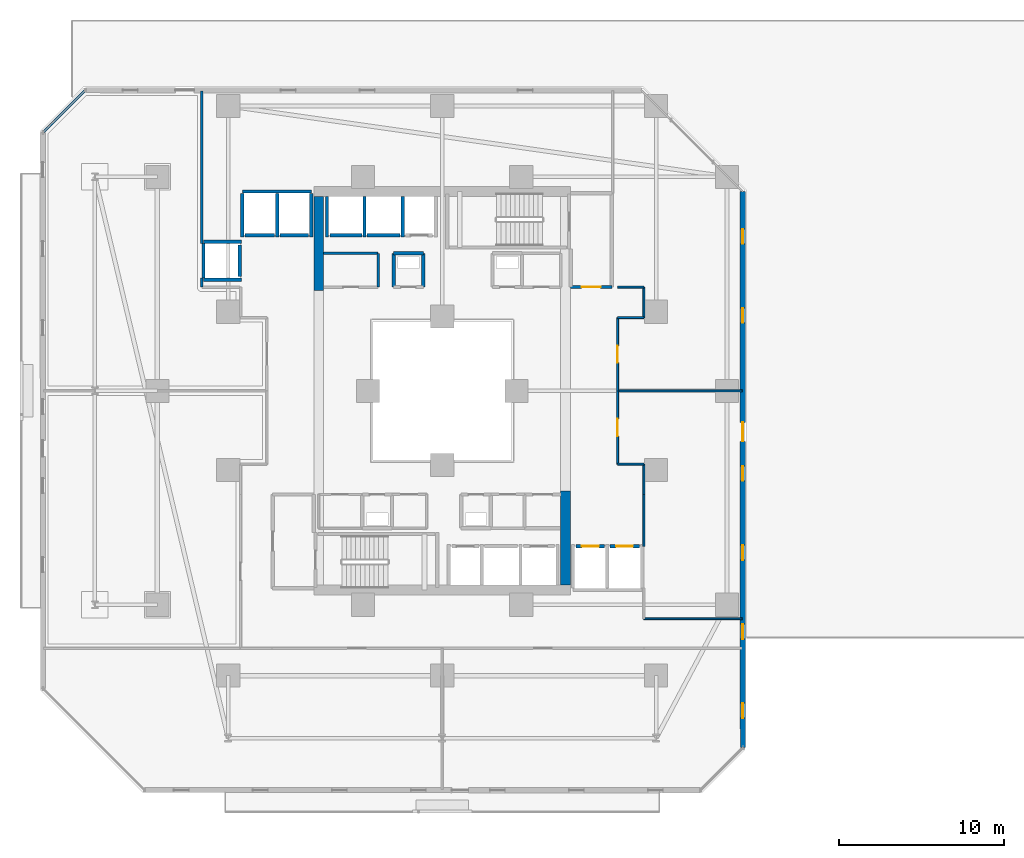
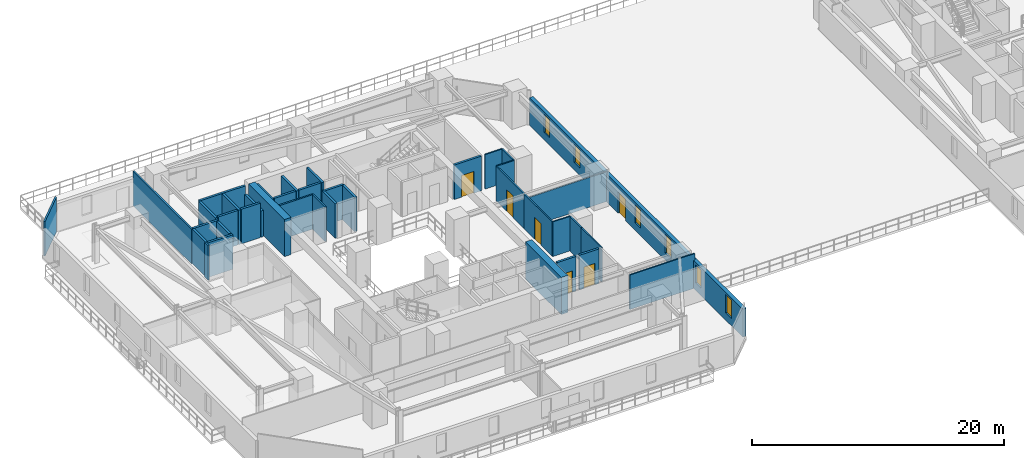
# One storey, part 20 of 34: 39 walls, 6 doors, 6 windows, 12 openings.
"""IFC4 building model written with IfcOpenShell, lengths in metres."""

from ifc_helpers import new_model, si_unit, direction, frame, frame_2d, origin, place, context, subcontext, project, spatial, rectangle, extrude, material, layer, layer_set, type_object, element, fill, save


model = new_model("IFC4")

# Units and contexts
model_context = context("Model", 3, precision=1e-05, world=origin(), true_north=direction((0.0, 1.0)))
body_context = subcontext(model_context, "Body", "Model", "MODEL_VIEW")
ifc_project = project(units=[si_unit("LENGTHUNIT", "METRE"), si_unit("AREAUNIT", "SQUARE_METRE"), si_unit("VOLUMEUNIT", "CUBIC_METRE"), si_unit("PLANEANGLEUNIT", "RADIAN"), si_unit("MASSUNIT", "GRAM", prefix="KILO")], contexts=[model_context])

# Site, building, storey
site_placement = place(None, origin())
site = spatial("IfcSite", under=ifc_project, at=site_placement, CompositionType="ELEMENT")
building_placement = place(site_placement, origin())
building = spatial("IfcBuilding", under=site, at=building_placement, Name="Thornwick Lancets Civic Towers", CompositionType="ELEMENT")
storey_placement = place(building_placement, frame((0.0, 0.0, 27.89990234375)))
storey = spatial("IfcBuildingStorey", under=building, at=storey_placement, Name="L06", CompositionType="ELEMENT", Elevation=27.89990234375)

# Wall, opening, door
ifc_material_1 = material(Name="Concrete blockwork C40/50", Category="masonry")
ifc_layer_1 = layer(ifc_material_1, 0.199951171875, Name="Concrete blockwork C40/50")
ifc_layer_set_1 = layer_set([ifc_layer_1], Name="Concrete blockwork C40/50")
wall_type_1 = type_object("IfcWallType", Name="WALL_COMP_200", PredefinedType="STANDARD", material=ifc_layer_set_1)
wall_1_placement = place(storey_placement, frame((33.6298828125, 17.550048828125, 0.0), z_axis=(0.0, 0.0, 1.0), x_axis=(1.0, 0.0, 0.0)))
wall_1 = element("IfcWall", 1, at=wall_1_placement, inside=storey, type_object=wall_type_1, Name="L06 Hoistway Front Wall PL-AL2", PredefinedType="STANDARD", context=body_context, shape_type="SweptSolid", body=[
    extrude(rectangle(XDim=1.740234375, YDim=0.199951171875, at=frame_2d((0.8701171875, 0.0))), origin(), (0.0, 0.0, 1.0), 3.340087890625),
])
opening_1_placement = place(wall_1_placement, frame((0.360107421875, 0.0, 0.0)))
opening_1 = element("IfcOpeningElement", 2, at=opening_1_placement, cuts=wall_1, Name="Opening LD-PL-AL2", PredefinedType="OPENING", context=body_context, shape_type="SweptSolid", body=[
    extrude(rectangle(XDim=1.02001953125, YDim=2.06005859375, at=frame_2d((0.510009765625, 1.030029296875))), frame((0.0, 0.10986328125, 0.0), z_axis=(0.0, -1.0, 0.0), x_axis=(1.0, 0.0, 0.0)), (0.0, 0.0, 1.0), 0.219970703125),
])
ifc_material_2 = material(Name="Brushed bronze stainless steel", Category="steel")
door_type_1 = type_object("IfcDoorType", Name="DOOR_LIFT_SLIDE", OperationType="SLIDING_TO_LEFT", PredefinedType="DOOR", material=ifc_material_2)
door_1_placement = place(opening_1_placement, origin())
door_1 = element("IfcDoor", 3, at=door_1_placement, inside=storey, type_object=door_type_1, Name="L06 Sliding Lift Landing Door LD-PL-AL2", OperationType="SLIDING_TO_LEFT", OverallHeight=2.06005859375, OverallWidth=1.02001953125, PredefinedType="DOOR", context=body_context, shape_type="SweptSolid", body=[
    extrude(rectangle(XDim=1.02001953125, YDim=2.06005859375, at=frame_2d((0.510009765625, 1.030029296875))), frame((0.0, 0.02490234375, 0.0), z_axis=(0.0, -1.0, 0.0), x_axis=(1.0, 0.0, 0.0)), (0.0, 0.0, 1.0), 0.050048828125),
])
fill(opening_1, door_1)

wall_2_placement = place(storey_placement, frame((35.679931640625, 17.550048828125, 0.0), z_axis=(0.0, 0.0, 1.0), x_axis=(1.0, 0.0, 0.0)))
wall_2 = element("IfcWall", 4, at=wall_2_placement, inside=storey, type_object=wall_type_1, Name="L06 Hoistway Front Wall PL-AL3", PredefinedType="STANDARD", context=body_context, shape_type="SweptSolid", body=[
    extrude(rectangle(XDim=1.7900390625, YDim=0.199951171875, at=frame_2d((0.89501953125, 0.0))), origin(), (0.0, 0.0, 1.0), 3.340087890625),
])
opening_2_placement = place(wall_2_placement, frame((0.385009765625, 0.0, 0.0)))
opening_2 = element("IfcOpeningElement", 5, at=opening_2_placement, cuts=wall_2, Name="Opening LD-PL-AL3", PredefinedType="OPENING", context=body_context, shape_type="SweptSolid", body=[
    extrude(rectangle(XDim=1.02001953125, YDim=2.06005859375, at=frame_2d((0.510009765625, 1.030029296875))), frame((0.0, 0.10986328125, 0.0), z_axis=(0.0, -1.0, 0.0), x_axis=(1.0, 0.0, 0.0)), (0.0, 0.0, 1.0), 0.219970703125),
])
door_2_placement = place(opening_2_placement, origin())
door_2 = element("IfcDoor", 6, at=door_2_placement, inside=storey, type_object=door_type_1, Name="L06 Sliding Lift Landing Door LD-PL-AL3", OperationType="SLIDING_TO_LEFT", OverallHeight=2.06005859375, OverallWidth=1.02001953125, PredefinedType="DOOR", context=body_context, shape_type="SweptSolid", body=[
    extrude(rectangle(XDim=1.02001953125, YDim=2.06005859375, at=frame_2d((0.510009765625, 1.030029296875))), frame((0.0, 0.02490234375, 0.0), z_axis=(0.0, -1.0, 0.0), x_axis=(1.0, 0.0, 0.0)), (0.0, 0.0, 1.0), 0.050048828125),
])
fill(opening_2, door_2)

# Walls
wall_3_placement = place(storey_placement, frame((22.919921875, 36.449951171875, 0.0), z_axis=(0.0, 0.0, 1.0), x_axis=(-1.0, 0.0, 0.0)))
element("IfcWall", 7, at=wall_3_placement, inside=storey, type_object=wall_type_1, Name="L06 Hoistway Front Wall PL-AH2", PredefinedType="STANDARD", context=body_context, shape_type="SweptSolid", body=[
    extrude(rectangle(XDim=1.989990234375, YDim=0.199951171875, at=frame_2d((0.9951171875, 0.0))), origin(), (0.0, 0.0, 1.0), 3.340087890625),
])
wall_4_placement = place(storey_placement, frame((20.6201171875, 36.449951171875, 0.0), z_axis=(0.0, 0.0, 1.0), x_axis=(-1.0, 0.0, 0.0)))
element("IfcWall", 8, at=wall_4_placement, inside=storey, type_object=wall_type_1, Name="L06 Hoistway Front Wall PL-AH3", PredefinedType="STANDARD", context=body_context, shape_type="SweptSolid", body=[
    extrude(rectangle(XDim=1.940185546875, YDim=0.199951171875, at=frame_2d((0.97021484375, 0.0))), origin(), (0.0, 0.0, 1.0), 3.340087890625),
])
wall_5_placement = place(storey_placement, frame((17.3701171875, 36.449951171875, 0.0), z_axis=(0.0, 0.0, 1.0), x_axis=(-1.0, 0.0, 0.0)))
element("IfcWall", 9, at=wall_5_placement, inside=storey, type_object=wall_type_1, Name="L06 Hoistway Front Wall PL-AM1", PredefinedType="STANDARD", context=body_context, shape_type="SweptSolid", body=[
    extrude(rectangle(XDim=1.740234375, YDim=0.199951171875, at=frame_2d((0.8701171875, 0.0))), origin(), (0.0, 0.0, 1.0), 3.340087890625),
])
wall_6_placement = place(storey_placement, frame((15.320068359375, 36.449951171875, 0.0), z_axis=(0.0, 0.0, 1.0), x_axis=(-1.0, 0.0, 0.0)))
element("IfcWall", 10, at=wall_6_placement, inside=storey, type_object=wall_type_1, Name="L06 Hoistway Front Wall PL-AM2", PredefinedType="STANDARD", context=body_context, shape_type="SweptSolid", body=[
    extrude(rectangle(XDim=1.7900390625, YDim=0.199951171875, at=frame_2d((0.89501953125, 0.0))), origin(), (0.0, 0.0, 1.0), 3.340087890625),
])
wall_7_placement = place(storey_placement, frame((13.199951171875, 33.929931640625, 0.0), z_axis=(0.0, 0.0, 1.0), x_axis=(0.0, 1.0, 0.0)))
element("IfcWall", 11, at=wall_7_placement, inside=storey, type_object=wall_type_1, Name="L06 Hoistway Front Wall PL-AM3", PredefinedType="STANDARD", context=body_context, shape_type="SweptSolid", body=[
    extrude(rectangle(XDim=1.940185546875, YDim=0.199951171875, at=frame_2d((0.97021484375, 0.0))), origin(), (0.0, 0.0, 1.0), 3.340087890625),
])
for number, where, z_axis, x_axis, name in (
    (12, (23.10009765625, 36.35205078125, 0.0), (0.0, 0.0, 1.0), (0.0, 1.0, 0.0), "L06 Hoistway Shaft Wall FL-A2 W"),
    (13, (20.77490234375, 36.35205078125, 0.0), (0.0, 0.0, 1.0), (0.0, 1.0, 0.0), "L06 Hoistway Shaft Wall PL-AH2 W"),
    (14, (18.5, 36.35205078125, 0.0), (0.0, 0.0, 1.0), (0.0, 1.0, 0.0), "L06 Hoistway Shaft Wall PL-AH3 W"),
):
    element("IfcWall", number, at=place(storey_placement, frame(where, z_axis=z_axis, x_axis=x_axis)), inside=storey, type_object=wall_type_1, Name=name, PredefinedType="STANDARD", context=body_context, shape_type="SweptSolid", body=[
        extrude(rectangle(XDim=2.43603515625, YDim=0.199951171875, at=frame_2d((1.218017578125, 0.0))), origin(), (0.0, 0.0, 1.0), 3.340087890625),
    ])
wall_8_placement = place(storey_placement, frame((13.35205078125, 39.10009765625, 0.0), z_axis=(0.0, 0.0, 1.0), x_axis=(1.0, 0.0, 0.0)))
element("IfcWall", 15, at=wall_8_placement, inside=storey, type_object=wall_type_1, Name="L06 Hoistway Shaft Wall PL-AM1 N", PredefinedType="STANDARD", context=body_context, shape_type="SweptSolid", body=[
    extrude(rectangle(XDim=4.196044921875, YDim=0.199951171875, at=frame_2d((2.09814453125, 0.0))), origin(), (0.0, 0.0, 1.0), 3.340087890625),
])
wall_9_placement = place(storey_placement, frame((17.550048828125, 36.35205078125, 0.0), z_axis=(0.0, 0.0, 1.0), x_axis=(0.0, 1.0, 0.0)))
element("IfcWall", 16, at=wall_9_placement, inside=storey, type_object=wall_type_1, Name="L06 Hoistway Shaft Wall PL-AM1 E", PredefinedType="STANDARD", context=body_context, shape_type="SweptSolid", body=[
    extrude(rectangle(XDim=2.635986328125, YDim=0.199951171875, at=frame_2d((1.31787109375, 0.0))), origin(), (0.0, 0.0, 1.0), 2.545166015625),
])
for number, where, z_axis, x_axis, name in (
    (17, (15.47509765625, 36.35205078125, 0.0), (0.0, 0.0, 1.0), (0.0, 1.0, 0.0), "L06 Hoistway Shaft Wall PL-AM1 W"),
    (18, (13.35009765625, 36.35205078125, 0.0), (0.0, 0.0, 1.0), (0.0, 1.0, 0.0), "L06 Hoistway Shaft Wall PL-AM2 W"),
):
    element("IfcWall", number, at=place(storey_placement, frame(where, z_axis=z_axis, x_axis=x_axis)), inside=storey, type_object=wall_type_1, Name=name, PredefinedType="STANDARD", context=body_context, shape_type="SweptSolid", body=[
        extrude(rectangle(XDim=2.635986328125, YDim=0.199951171875, at=frame_2d((1.31787109375, 0.0))), origin(), (0.0, 0.0, 1.0), 3.340087890625),
    ])
for number, where, z_axis, x_axis, name in (
    (19, (11.001953125, 36.050048828125, 0.0), (0.0, 0.0, 1.0), (1.0, 0.0, 0.0), "L06 Hoistway Shaft Wall PL-AM3 N"),
    (20, (11.001953125, 33.75, 0.0), (0.0, 0.0, 1.0), (1.0, 0.0, 0.0), "L06 Hoistway Shaft Wall PL-AM3 S"),
):
    element("IfcWall", number, at=place(storey_placement, frame(where, z_axis=z_axis, x_axis=x_axis)), inside=storey, type_object=wall_type_1, Name=name, PredefinedType="STANDARD", context=body_context, shape_type="SweptSolid", body=[
        extrude(rectangle(XDim=2.296142578125, YDim=0.199951171875, at=frame_2d((1.14794921875, 0.0))), origin(), (0.0, 0.0, 1.0), 3.340087890625),
    ])
wall_10_placement = place(storey_placement, frame((11.0, 33.862060546875, 0.0), z_axis=(0.0, 0.0, 1.0), x_axis=(0.0, 1.0, 0.0)))
element("IfcWall", 21, at=wall_10_placement, inside=storey, type_object=wall_type_1, Name="L06 Hoistway Shaft Wall PL-AM3 W", PredefinedType="STANDARD", context=body_context, shape_type="SweptSolid", body=[
    extrude(rectangle(XDim=2.075927734375, YDim=0.199951171875, at=frame_2d((1.0380859375, 0.0))), origin(), (0.0, 0.0, 1.0), 3.340087890625),
])

# Wall, opening, door
wall_11_placement = place(storey_placement, frame((33.300048828125, 33.300048828125, 0.0), z_axis=(0.0, 0.0, 1.0), x_axis=(1.0, 0.0, 0.0)))
wall_11 = element("IfcWall", 22, at=wall_11_placement, inside=storey, type_object=wall_type_1, Name="L06 Partition L06-A-FFLOB2 E1", PredefinedType="STANDARD", context=body_context, shape_type="SweptSolid", body=[
    extrude(rectangle(XDim=2.5, YDim=0.199951171875, at=frame_2d((1.25, 0.0))), origin(), (0.0, 0.0, 1.0), 3.340087890625),
])
opening_3_placement = place(wall_11_placement, frame((0.675048828125, 0.0, 0.0)))
opening_3 = element("IfcOpeningElement", 23, at=opening_3_placement, cuts=wall_11, Name="Opening D-L06-0322", PredefinedType="OPENING", context=body_context, shape_type="SweptSolid", body=[
    extrude(rectangle(XDim=1.14990234375, YDim=2.10009765625, at=frame_2d((0.574951171875, 1.050048828125))), frame((0.0, 0.10986328125, 0.0), z_axis=(0.0, -1.0, 0.0), x_axis=(1.0, 0.0, 0.0)), (0.0, 0.0, 1.0), 0.219970703125),
])
ifc_material_3 = material(Name="Glazed fire-resisting steel", Category="steel")
door_type_2 = type_object("IfcDoorType", Name="DOOR_LOBBY_FD60", OperationType="NOTDEFINED", PredefinedType="DOOR", material=ifc_material_3)
door_3_placement = place(opening_3_placement, origin())
door_3 = element("IfcDoor", 24, at=door_3_placement, inside=storey, type_object=door_type_2, Name="L06 North Firefighting Lobby 2 Door", OperationType="SINGLE_SWING_LEFT", OverallHeight=2.10009765625, OverallWidth=1.14990234375, PredefinedType="DOOR", context=body_context, shape_type="SweptSolid", body=[
    extrude(rectangle(XDim=1.14990234375, YDim=2.10009765625, at=frame_2d((0.574951171875, 1.050048828125))), frame((0.0, 0.02490234375, 0.0), z_axis=(0.0, -1.0, 0.0), x_axis=(1.0, 0.0, 0.0)), (0.0, 0.0, 1.0), 0.050048828125),
])
fill(opening_3, door_3)

# Walls
wall_12_placement = place(storey_placement, frame((24.35009765625, 33.300048828125, 0.0), z_axis=(0.0, 0.0, 1.0), x_axis=(0.0, 1.0, 0.0)))
element("IfcWall", 25, at=wall_12_placement, inside=storey, type_object=wall_type_1, Name="L06 Partition L06-A-DUCT2 E2", PredefinedType="STANDARD", context=body_context, shape_type="SweptSolid", body=[
    extrude(rectangle(XDim=2.050048828125, YDim=0.199951171875, at=frame_2d((1.02490234375, 0.0))), origin(), (0.0, 0.0, 1.0), 3.340087890625),
])
wall_13_placement = place(storey_placement, frame((24.35009765625, 35.35009765625, 0.0), z_axis=(0.0, 0.0, 1.0), x_axis=(-1.0, 0.0, 0.0)))
element("IfcWall", 26, at=wall_13_placement, inside=storey, type_object=wall_type_1, Name="L06 Partition L06-A-DUCT2 E3", PredefinedType="STANDARD", context=body_context, shape_type="SweptSolid", body=[
    extrude(rectangle(XDim=1.800048828125, YDim=0.199951171875, at=frame_2d((0.89990234375, 0.0))), origin(), (0.0, 0.0, 1.0), 3.340087890625),
])
wall_14_placement = place(storey_placement, frame((22.550048828125, 35.35009765625, 0.0), z_axis=(0.0, 0.0, 1.0), x_axis=(0.0, -1.0, 0.0)))
element("IfcWall", 27, at=wall_14_placement, inside=storey, type_object=wall_type_1, Name="L06 Partition L06-A-DUCT2 E4", PredefinedType="STANDARD", context=body_context, shape_type="SweptSolid", body=[
    extrude(rectangle(XDim=2.050048828125, YDim=0.199951171875, at=frame_2d((1.02490234375, 0.0))), origin(), (0.0, 0.0, 1.0), 3.340087890625),
])
ifc_material_4 = material(Name="Concrete C60/75", Category="concrete")
ifc_layer_2 = layer(ifc_material_4, 0.60009765625, Name="Concrete C60/75")
ifc_layer_set_2 = layer_set([ifc_layer_2], Name="Concrete C60/75")
wall_type_2 = type_object("IfcWallType", Name="WALL_CORE_600", PredefinedType="SHEAR", material=ifc_layer_set_2)
for number, where, z_axis, x_axis, name in (
    (28, (33.0, 15.199951171875, 0.0), (0.0, 0.0, 1.0), (0.0, 1.0, 0.0), "L06 Split Core A1 Shear Wall E"),
    (29, (18.0, 33.10009765625, 0.0), (0.0, 0.0, 1.0), (0.0, 1.0, 0.0), "L06 Split Core A2 Shear Wall W"),
):
    element("IfcWall", number, at=place(storey_placement, frame(where, z_axis=z_axis, x_axis=x_axis)), inside=storey, type_object=wall_type_2, Name=name, PredefinedType="SHEAR", context=body_context, shape_type="SweptSolid", body=[
        extrude(rectangle(XDim=5.699951171875, YDim=0.60009765625, at=frame_2d((2.85009765625, 0.0))), origin(), (0.0, 0.0, 1.0), 3.60009765625),
    ])

# Wall, openings, door, windows
ifc_material_5 = material(Name="Insulated buff terracotta rainscreen on concrete C40/50", Category="masonry")
ifc_layer_3 = layer(ifc_material_5, 0.320068359375, Name="Insulated buff terracotta rainscreen on concrete C40/50")
ifc_layer_set_3 = layer_set([ifc_layer_3], Name="Insulated buff terracotta rainscreen on concrete C40/50")
wall_type_3 = type_object("IfcWallType", Name="WALL_EXT_TERRA_320", PredefinedType="STANDARD", material=ifc_layer_set_3)
wall_15_placement = place(storey_placement, frame((43.764892578125, 5.31884765625, 0.0), z_axis=(0.0, 0.0, 1.0), x_axis=(-0.000339718087, 0.999999942296, 0.0)))
wall_15 = element("IfcWall", 30, at=wall_15_placement, inside=storey, type_object=wall_type_3, Name="L06 Tower A Terracotta Facade Wall E2", PredefinedType="STANDARD", context=body_context, shape_type="SweptSolid", body=[
    extrude(rectangle(XDim=33.77685546875, YDim=0.320068359375, at=frame_2d((16.888427734375, 0.0))), origin(), (0.0, 0.0, 1.0), 2.7001953125),
])
opening_4_placement = place(wall_15_placement, frame((18.613525390625, 0.0, 0.0)))
opening_4 = element("IfcOpeningElement", 31, at=opening_4_placement, cuts=wall_15, Name="Opening D-PR-A2", PredefinedType="OPENING", context=body_context, shape_type="SweptSolid", body=[
    extrude(rectangle(XDim=1.14990234375, YDim=2.10009765625, at=frame_2d((0.574951171875, 1.050048828125))), frame((0.0, 0.169921875, 0.0), z_axis=(0.0, -1.0, 0.0), x_axis=(1.0, 0.0, 0.0)), (0.0, 0.0, 1.0), 0.340087890625),
])
opening_5_placement = place(wall_15_placement, frame((1.800048828125, 0.0, 0.719970703125)))
opening_5 = element("IfcOpeningElement", 32, at=opening_5_placement, cuts=wall_15, Name="Opening WL-01", PredefinedType="OPENING", context=body_context, shape_type="SweptSolid", body=[
    extrude(rectangle(XDim=0.89990234375, YDim=1.75, at=frame_2d((0.449951171875, 0.875))), frame((0.0, 0.169921875, 0.0), z_axis=(0.0, -1.0, 0.0), x_axis=(1.0, 0.0, 0.0)), (0.0, 0.0, 1.0), 0.340087890625),
])
opening_6_placement = place(wall_15_placement, frame((6.60009765625, 0.0, 0.719970703125)))
opening_6 = element("IfcOpeningElement", 33, at=opening_6_placement, cuts=wall_15, Name="Opening WL-01", PredefinedType="OPENING", context=body_context, shape_type="SweptSolid", body=[
    extrude(rectangle(XDim=0.89990234375, YDim=1.75, at=frame_2d((0.449951171875, 0.875))), frame((0.0, 0.169921875, 0.0), z_axis=(0.0, -1.0, 0.0), x_axis=(1.0, 0.0, 0.0)), (0.0, 0.0, 1.0), 0.340087890625),
])
opening_7_placement = place(wall_15_placement, frame((11.39990234375, 0.0, 0.719970703125)))
opening_7 = element("IfcOpeningElement", 34, at=opening_7_placement, cuts=wall_15, Name="Opening WL-01", PredefinedType="OPENING", context=body_context, shape_type="SweptSolid", body=[
    extrude(rectangle(XDim=0.89990234375, YDim=1.75, at=frame_2d((0.449951171875, 0.875))), frame((0.0, 0.169921875, 0.0), z_axis=(0.0, -1.0, 0.0), x_axis=(1.0, 0.0, 0.0)), (0.0, 0.0, 1.0), 0.340087890625),
])
opening_8_placement = place(wall_15_placement, frame((16.199951171875, 0.0, 0.719970703125)))
opening_8 = element("IfcOpeningElement", 35, at=opening_8_placement, cuts=wall_15, Name="Opening WL-01", PredefinedType="OPENING", context=body_context, shape_type="SweptSolid", body=[
    extrude(rectangle(XDim=0.89990234375, YDim=1.75, at=frame_2d((0.449951171875, 0.875))), frame((0.0, 0.169921875, 0.0), z_axis=(0.0, -1.0, 0.0), x_axis=(1.0, 0.0, 0.0)), (0.0, 0.0, 1.0), 0.340087890625),
])
opening_9_placement = place(wall_15_placement, frame((25.800048828125, 0.0, 0.719970703125)))
opening_9 = element("IfcOpeningElement", 36, at=opening_9_placement, cuts=wall_15, Name="Opening WL-01", PredefinedType="OPENING", context=body_context, shape_type="SweptSolid", body=[
    extrude(rectangle(XDim=0.89990234375, YDim=1.75, at=frame_2d((0.449951171875, 0.875))), frame((0.0, 0.169921875, 0.0), z_axis=(0.0, -1.0, 0.0), x_axis=(1.0, 0.0, 0.0)), (0.0, 0.0, 1.0), 0.340087890625),
])
opening_10_placement = place(wall_15_placement, frame((30.60009765625, 0.0, 0.719970703125)))
opening_10 = element("IfcOpeningElement", 37, at=opening_10_placement, cuts=wall_15, Name="Opening WL-01", PredefinedType="OPENING", context=body_context, shape_type="SweptSolid", body=[
    extrude(rectangle(XDim=0.89990234375, YDim=1.75, at=frame_2d((0.449951171875, 0.875))), frame((0.0, 0.169921875, 0.0), z_axis=(0.0, -1.0, 0.0), x_axis=(1.0, 0.0, 0.0)), (0.0, 0.0, 1.0), 0.340087890625),
])
ifc_material_6 = material(Name="Thermally broken glazed terrace doorset")
door_type_3 = type_object("IfcDoorType", Name="DOOR_TERRACE_1200", OperationType="NOTDEFINED", PredefinedType="DOOR", material=ifc_material_6)
door_4_placement = place(opening_4_placement, origin())
door_4 = element("IfcDoor", 38, at=door_4_placement, inside=storey, type_object=door_type_3, Name="L06 Tower A Podium Roof Garden Door 2", OperationType="SINGLE_SWING_LEFT", OverallHeight=2.10009765625, OverallWidth=1.14990234375, PredefinedType="DOOR", context=body_context, shape_type="SweptSolid", body=[
    extrude(rectangle(XDim=1.14990234375, YDim=2.10009765625, at=frame_2d((0.574951171875, 1.050048828125))), frame((0.0, 0.02490234375, 0.0), z_axis=(0.0, -1.0, 0.0), x_axis=(1.0, 0.0, 0.0)), (0.0, 0.0, 1.0), 0.050048828125),
])
fill(opening_4, door_4)
ifc_material_7 = material(Name="Clear low-e double glazing in bronze frame", Category="glass")
window_type = type_object("IfcWindowType", Name="WIN_LANCET_900", PartitioningType="SINGLE_PANEL", PredefinedType="WINDOW", material=ifc_material_7)
window_1_placement = place(opening_5_placement, origin())
window_1 = element("IfcWindow", 39, at=window_1_placement, inside=storey, type_object=window_type, Name="L06 Tower A Staggered Lancet Window E2-1", OverallHeight=1.75, OverallWidth=0.89990234375, PartitioningType="SINGLE_PANEL", PredefinedType="WINDOW", context=body_context, shape_type="SweptSolid", body=[
    extrude(rectangle(XDim=0.89990234375, YDim=1.75, at=frame_2d((0.449951171875, 0.875))), frame((0.0, 0.030029296875, 0.0), z_axis=(0.0, -1.0, 0.0), x_axis=(1.0, 0.0, 0.0)), (0.0, 0.0, 1.0), 0.06005859375),
])
fill(opening_5, window_1)
window_2_placement = place(opening_6_placement, origin())
window_2 = element("IfcWindow", 40, at=window_2_placement, inside=storey, type_object=window_type, Name="L06 Tower A Staggered Lancet Window E2-2", OverallHeight=1.75, OverallWidth=0.89990234375, PartitioningType="SINGLE_PANEL", PredefinedType="WINDOW", context=body_context, shape_type="SweptSolid", body=[
    extrude(rectangle(XDim=0.89990234375, YDim=1.75, at=frame_2d((0.449951171875, 0.875))), frame((0.0, 0.030029296875, 0.0), z_axis=(0.0, -1.0, 0.0), x_axis=(1.0, 0.0, 0.0)), (0.0, 0.0, 1.0), 0.06005859375),
])
fill(opening_6, window_2)
window_3_placement = place(opening_7_placement, origin())
window_3 = element("IfcWindow", 41, at=window_3_placement, inside=storey, type_object=window_type, Name="L06 Tower A Staggered Lancet Window E2-3", OverallHeight=1.75, OverallWidth=0.89990234375, PartitioningType="SINGLE_PANEL", PredefinedType="WINDOW", context=body_context, shape_type="SweptSolid", body=[
    extrude(rectangle(XDim=0.89990234375, YDim=1.75, at=frame_2d((0.449951171875, 0.875))), frame((0.0, 0.030029296875, 0.0), z_axis=(0.0, -1.0, 0.0), x_axis=(1.0, 0.0, 0.0)), (0.0, 0.0, 1.0), 0.06005859375),
])
fill(opening_7, window_3)
window_4_placement = place(opening_8_placement, origin())
window_4 = element("IfcWindow", 42, at=window_4_placement, inside=storey, type_object=window_type, Name="L06 Tower A Staggered Lancet Window E2-4", OverallHeight=1.75, OverallWidth=0.89990234375, PartitioningType="SINGLE_PANEL", PredefinedType="WINDOW", context=body_context, shape_type="SweptSolid", body=[
    extrude(rectangle(XDim=0.89990234375, YDim=1.75, at=frame_2d((0.449951171875, 0.875))), frame((0.0, 0.030029296875, 0.0), z_axis=(0.0, -1.0, 0.0), x_axis=(1.0, 0.0, 0.0)), (0.0, 0.0, 1.0), 0.06005859375),
])
fill(opening_8, window_4)
window_5_placement = place(opening_9_placement, origin())
window_5 = element("IfcWindow", 43, at=window_5_placement, inside=storey, type_object=window_type, Name="L06 Tower A Staggered Lancet Window E2-5", OverallHeight=1.75, OverallWidth=0.89990234375, PartitioningType="SINGLE_PANEL", PredefinedType="WINDOW", context=body_context, shape_type="SweptSolid", body=[
    extrude(rectangle(XDim=0.89990234375, YDim=1.75, at=frame_2d((0.449951171875, 0.875))), frame((0.0, 0.030029296875, 0.0), z_axis=(0.0, -1.0, 0.0), x_axis=(1.0, 0.0, 0.0)), (0.0, 0.0, 1.0), 0.06005859375),
])
fill(opening_9, window_5)
window_6_placement = place(opening_10_placement, origin())
window_6 = element("IfcWindow", 44, at=window_6_placement, inside=storey, type_object=window_type, Name="L06 Tower A Staggered Lancet Window E2-6", OverallHeight=1.75, OverallWidth=0.89990234375, PartitioningType="SINGLE_PANEL", PredefinedType="WINDOW", context=body_context, shape_type="SweptSolid", body=[
    extrude(rectangle(XDim=0.89990234375, YDim=1.75, at=frame_2d((0.449951171875, 0.875))), frame((0.0, 0.030029296875, 0.0), z_axis=(0.0, -1.0, 0.0), x_axis=(1.0, 0.0, 0.0)), (0.0, 0.0, 1.0), 0.06005859375),
])
fill(opening_10, window_6)

# Walls
ifc_material_8 = material(Name="Acoustic gypsum board partition")
ifc_layer_4 = layer(ifc_material_8, 0.1201171875, Name="Acoustic gypsum board partition")
ifc_layer_set_4 = layer_set([ifc_layer_4], Name="Acoustic gypsum board partition")
wall_type_4 = type_object("IfcWallType", Name="WALL_PART_120", PredefinedType="PARTITIONING", material=ifc_layer_set_4)
wall_16_placement = place(storey_placement, frame((37.75, 17.550048828125, 0.0), z_axis=(0.0, 0.0, 1.0), x_axis=(0.0, 1.0, 0.0)))
element("IfcWall", 45, at=wall_16_placement, inside=storey, type_object=wall_type_4, Name="L06 Partition L06-A-E1 E1", PredefinedType="PARTITIONING", context=body_context, shape_type="SweptSolid", body=[
    extrude(rectangle(XDim=3.14990234375, YDim=0.1201171875, at=frame_2d((1.574951171875, 0.0))), origin(), (0.0, 0.0, 1.0), 3.340087890625),
])
wall_17_placement = place(storey_placement, frame((37.75, 20.699951171875, 0.0), z_axis=(0.0, 0.0, 1.0), x_axis=(0.0, 1.0, 0.0)))
element("IfcWall", 46, at=wall_17_placement, inside=storey, type_object=wall_type_4, Name="L06 Partition L06-A-E1 E2", PredefinedType="PARTITIONING", context=body_context, shape_type="SweptSolid", body=[
    extrude(rectangle(XDim=1.85009765625, YDim=0.1201171875, at=frame_2d((0.925048828125, 0.0))), origin(), (0.0, 0.0, 1.0), 3.340087890625),
])
wall_18_placement = place(storey_placement, frame((37.75, 22.550048828125, 0.0), z_axis=(0.0, 0.0, 1.0), x_axis=(-1.0, 0.0, 0.0)))
element("IfcWall", 47, at=wall_18_placement, inside=storey, type_object=wall_type_4, Name="L06 Partition L06-A-E1 E3", PredefinedType="PARTITIONING", context=body_context, shape_type="SweptSolid", body=[
    extrude(rectangle(XDim=1.60009765625, YDim=0.1201171875, at=frame_2d((0.800048828125, 0.0))), origin(), (0.0, 0.0, 1.0), 3.340087890625),
])

# Wall, opening, door
wall_19_placement = place(storey_placement, frame((36.14990234375, 22.550048828125, 0.0), z_axis=(0.0, 0.0, 1.0), x_axis=(0.0, 1.0, 0.0)))
wall_19 = element("IfcWall", 48, at=wall_19_placement, inside=storey, type_object=wall_type_4, Name="L06 Partition L06-A-E1 E4", PredefinedType="PARTITIONING", context=body_context, shape_type="SweptSolid", body=[
    extrude(rectangle(XDim=4.449951171875, YDim=0.1201171875, at=frame_2d((2.22509765625, 0.0))), origin(), (0.0, 0.0, 1.0), 3.340087890625),
])
opening_11_placement = place(wall_19_placement, frame((1.699951171875, 0.0, 0.0)))
opening_11 = element("IfcOpeningElement", 49, at=opening_11_placement, cuts=wall_19, Name="Opening D-L06-0347", PredefinedType="OPENING", context=body_context, shape_type="SweptSolid", body=[
    extrude(rectangle(XDim=1.050048828125, YDim=2.10009765625, at=frame_2d((0.52490234375, 1.050048828125))), frame((0.0, 0.070068359375, 0.0), z_axis=(0.0, -1.0, 0.0), x_axis=(1.0, 0.0, 0.0)), (0.0, 0.0, 1.0), 0.14013671875),
])
ifc_material_9 = material(Name="Glazed European oak executive doorset")
door_type_4 = type_object("IfcDoorType", Name="DOOR_OFFICE_1050", OperationType="NOTDEFINED", PredefinedType="DOOR", material=ifc_material_9)
door_5_placement = place(opening_11_placement, origin())
door_5 = element("IfcDoor", 50, at=door_5_placement, inside=storey, type_object=door_type_4, Name="L06 Tower A Secretariat Open Office E1 Door", OperationType="SINGLE_SWING_RIGHT", OverallHeight=2.10009765625, OverallWidth=1.050048828125, PredefinedType="DOOR", context=body_context, shape_type="SweptSolid", body=[
    extrude(rectangle(XDim=1.050048828125, YDim=2.10009765625, at=frame_2d((0.52490234375, 1.050048828125))), frame((0.0, 0.02490234375, 0.0), z_axis=(0.0, -1.0, 0.0), x_axis=(1.0, 0.0, 0.0)), (0.0, 0.0, 1.0), 0.050048828125),
])
fill(opening_11, door_5)

# Walls
wall_20_placement = place(storey_placement, frame((36.14990234375, 27.0, 0.0), z_axis=(0.0, 0.0, 1.0), x_axis=(1.0, 0.0, 0.0)))
element("IfcWall", 51, at=wall_20_placement, inside=storey, type_object=wall_type_4, Name="L06 Partition L06-A-E1 E5", PredefinedType="PARTITIONING", context=body_context, shape_type="SweptSolid", body=[
    extrude(rectangle(XDim=7.570068359375, YDim=0.1201171875, at=frame_2d((3.78515625, 0.0))), origin(), (0.0, 0.0, 1.0), 2.8779296875),
])
wall_21_placement = place(storey_placement, frame((43.719970703125, 13.14990234375, 0.0), z_axis=(0.0, 0.0, 1.0), x_axis=(-1.0, 0.0, 0.0)))
element("IfcWall", 52, at=wall_21_placement, inside=storey, type_object=wall_type_4, Name="L06 Partition L06-A-E1 E7", PredefinedType="PARTITIONING", context=body_context, shape_type="SweptSolid", body=[
    extrude(rectangle(XDim=5.969970703125, YDim=0.1201171875, at=frame_2d((2.98486328125, 0.0))), origin(), (0.0, 0.0, 1.0), 3.340087890625),
])
wall_22_placement = place(storey_placement, frame((36.14990234375, 31.449951171875, 0.0), z_axis=(0.0, 0.0, 1.0), x_axis=(1.0, 0.0, 0.0)))
element("IfcWall", 53, at=wall_22_placement, inside=storey, type_object=wall_type_4, Name="L06 Partition L06-A-E2 E1", PredefinedType="PARTITIONING", context=body_context, shape_type="SweptSolid", body=[
    extrude(rectangle(XDim=1.60009765625, YDim=0.1201171875, at=frame_2d((0.800048828125, 0.0))), origin(), (0.0, 0.0, 1.0), 3.340087890625),
])
wall_23_placement = place(storey_placement, frame((37.75, 31.449951171875, 0.0), z_axis=(0.0, 0.0, 1.0), x_axis=(0.0, 1.0, 0.0)))
element("IfcWall", 54, at=wall_23_placement, inside=storey, type_object=wall_type_4, Name="L06 Partition L06-A-E2 E2", PredefinedType="PARTITIONING", context=body_context, shape_type="SweptSolid", body=[
    extrude(rectangle(XDim=1.85009765625, YDim=0.1201171875, at=frame_2d((0.925048828125, 0.0))), origin(), (0.0, 0.0, 1.0), 3.340087890625),
])
wall_24_placement = place(storey_placement, frame((37.75, 33.300048828125, 0.0), z_axis=(0.0, 0.0, 1.0), x_axis=(-1.0, 0.0, 0.0)))
element("IfcWall", 55, at=wall_24_placement, inside=storey, type_object=wall_type_4, Name="L06 Partition L06-A-E2 E3", PredefinedType="PARTITIONING", context=body_context, shape_type="SweptSolid", body=[
    extrude(rectangle(XDim=1.60009765625, YDim=0.1201171875, at=frame_2d((0.800048828125, 0.0))), origin(), (0.0, 0.0, 1.0), 3.340087890625),
])

# Wall, opening, door
wall_25_placement = place(storey_placement, frame((36.14990234375, 27.0, 0.0), z_axis=(0.0, 0.0, 1.0), x_axis=(0.0, 1.0, 0.0)))
wall_25 = element("IfcWall", 56, at=wall_25_placement, inside=storey, type_object=wall_type_4, Name="L06 Partition L06-A-E2 E10", PredefinedType="PARTITIONING", context=body_context, shape_type="SweptSolid", body=[
    extrude(rectangle(XDim=4.449951171875, YDim=0.1201171875, at=frame_2d((2.22509765625, 0.0))), origin(), (0.0, 0.0, 1.0), 3.340087890625),
])
opening_12_placement = place(wall_25_placement, frame((1.699951171875, 0.0, 0.0)))
opening_12 = element("IfcOpeningElement", 57, at=opening_12_placement, cuts=wall_25, Name="Opening D-L06-0348", PredefinedType="OPENING", context=body_context, shape_type="SweptSolid", body=[
    extrude(rectangle(XDim=1.050048828125, YDim=2.10009765625, at=frame_2d((0.52490234375, 1.050048828125))), frame((0.0, 0.070068359375, 0.0), z_axis=(0.0, -1.0, 0.0), x_axis=(1.0, 0.0, 0.0)), (0.0, 0.0, 1.0), 0.14013671875),
])
door_6_placement = place(opening_12_placement, origin())
door_6 = element("IfcDoor", 58, at=door_6_placement, inside=storey, type_object=door_type_4, Name="L06 Tower A Visitors Reception and Waiting Door", OperationType="SINGLE_SWING_LEFT", OverallHeight=2.10009765625, OverallWidth=1.050048828125, PredefinedType="DOOR", context=body_context, shape_type="SweptSolid", body=[
    extrude(rectangle(XDim=1.050048828125, YDim=2.10009765625, at=frame_2d((0.52490234375, 1.050048828125))), frame((0.0, 0.02490234375, 0.0), z_axis=(0.0, -1.0, 0.0), x_axis=(1.0, 0.0, 0.0)), (0.0, 0.0, 1.0), 0.050048828125),
])
fill(opening_12, door_6)

# Walls
ifc_material_10 = material(Name="Twin-stud acoustic gypsum board")
ifc_layer_5 = layer(ifc_material_10, 0.14990234375, Name="Twin-stud acoustic gypsum board")
ifc_layer_set_5 = layer_set([ifc_layer_5], Name="Twin-stud acoustic gypsum board")
wall_type_5 = type_object("IfcWallType", Name="WALL_PART_150", PredefinedType="PARTITIONING", material=ifc_layer_set_5)
wall_26_placement = place(storey_placement, frame((21.60009765625, 33.300048828125, 0.0), z_axis=(0.0, 0.0, 1.0), x_axis=(0.0, 1.0, 0.0)))
element("IfcWall", 59, at=wall_26_placement, inside=storey, type_object=wall_type_5, Name="L06 Partition L06-A-MWC E2", PredefinedType="PARTITIONING", context=body_context, shape_type="SweptSolid", body=[
    extrude(rectangle(XDim=2.050048828125, YDim=0.14990234375, at=frame_2d((1.02490234375, 0.0))), origin(), (0.0, 0.0, 1.0), 3.340087890625),
])
wall_27_placement = place(storey_placement, frame((21.60009765625, 35.35009765625, 0.0), z_axis=(0.0, 0.0, 1.0), x_axis=(-1.0, 0.0, 0.0)))
element("IfcWall", 60, at=wall_27_placement, inside=storey, type_object=wall_type_5, Name="L06 Partition L06-A-MWC E3", PredefinedType="PARTITIONING", context=body_context, shape_type="SweptSolid", body=[
    extrude(rectangle(XDim=3.300048828125, YDim=0.14990234375, at=frame_2d((1.64990234375, 0.0))), origin(), (0.0, 0.0, 1.0), 3.340087890625),
])
wall_28_placement = place(storey_placement, frame((1.280029296875, 42.725341796875, 0.0), z_axis=(0.0, 0.0, 1.0), x_axis=(0.707106781187, 0.707106781187, 0.0)))
element("IfcWall", 61, at=wall_28_placement, inside=storey, type_object=wall_type_5, Name="L06 Partition L06-A-W2 E7", PredefinedType="PARTITIONING", context=body_context, shape_type="SweptSolid", body=[
    extrude(rectangle(XDim=3.52783203125, YDim=0.14990234375, at=frame_2d((1.763916015625, 0.0))), origin(), (0.0, 0.0, 1.0), 3.340087890625),
])
wall_29_placement = place(storey_placement, frame((10.89990234375, 45.219970703125, 0.0), z_axis=(0.0, 0.0, 1.0), x_axis=(0.0, -1.0, 0.0)))
element("IfcWall", 62, at=wall_29_placement, inside=storey, type_object=wall_type_5, Name="L06 Partition L06-A-W2 E9", PredefinedType="PARTITIONING", context=body_context, shape_type="SweptSolid", body=[
    extrude(rectangle(XDim=9.281982421875, YDim=0.14990234375, at=frame_2d((4.64111328125, 0.0))), origin(), (0.0, 0.0, 1.0), 3.340087890625),
])
wall_30_placement = place(storey_placement, frame((10.89990234375, 33.862060546875, 0.0), z_axis=(0.0, 0.0, 1.0), x_axis=(0.0, -1.0, 0.0)))
element("IfcWall", 63, at=wall_30_placement, inside=storey, type_object=wall_type_5, Name="L06 Partition L06-A-W2 E9", PredefinedType="PARTITIONING", context=body_context, shape_type="SweptSolid", body=[
    extrude(rectangle(XDim=0.56201171875, YDim=0.14990234375, at=frame_2d((0.281005859375, 0.0))), origin(), (0.0, 0.0, 1.0), 3.340087890625),
])

save(model, "model.ifc")
